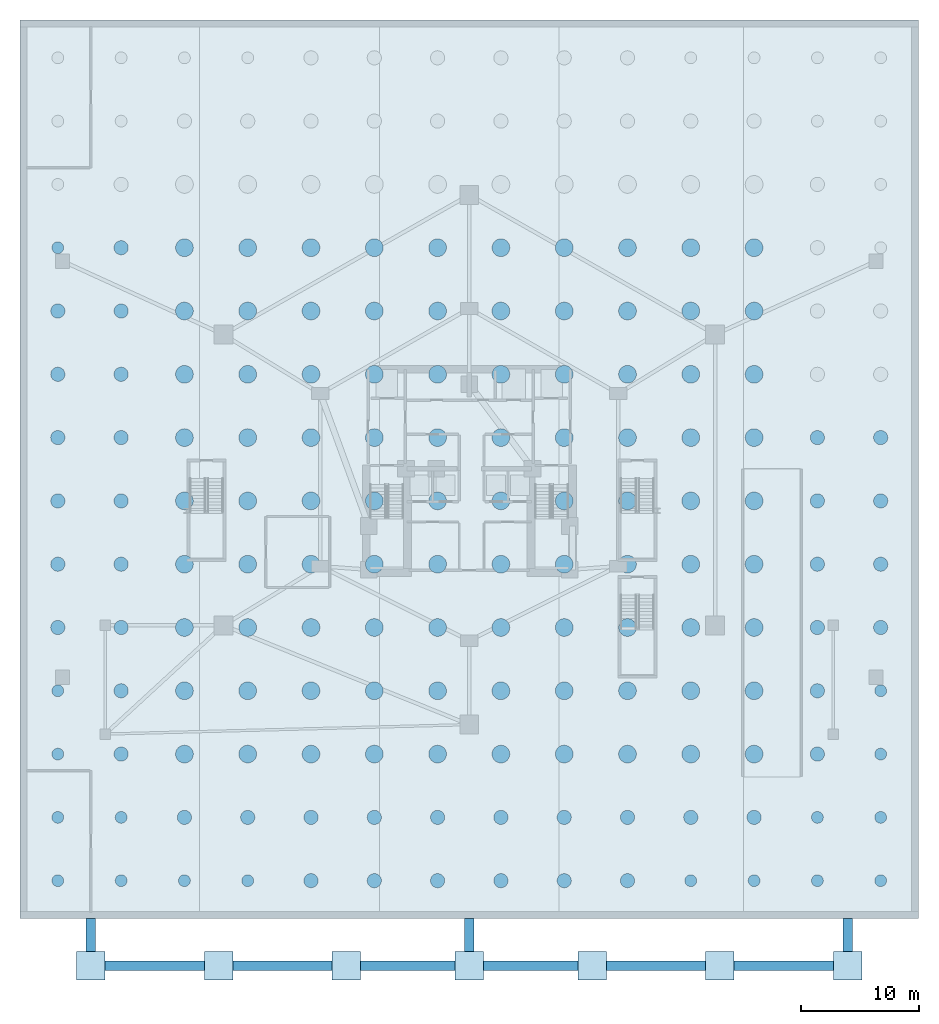
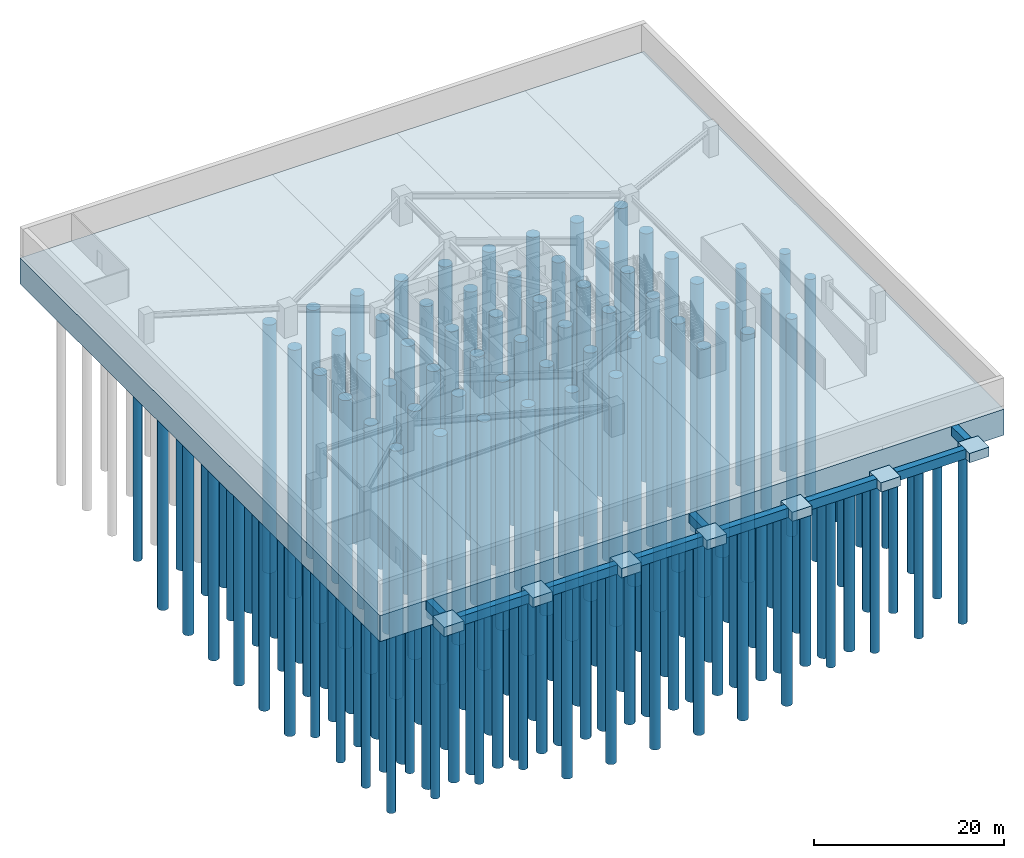
# One storey, part 1 of 14: 148 piles, 17 footings.
"""IFC4 building model written with IfcOpenShell, lengths in metres."""

from ifc_helpers import new_model, si_unit, direction, frame, origin, origin_2d, place, context, subcontext, project, spatial, polyline, rectangle, circle, outline, extrude, material, layer, layer_set, material_profile, profile_set, type_object, element, save


model = new_model("IFC4")

# Units and contexts
model_context = context("Model", 3, precision=1e-05, world=origin(), true_north=direction((0.0, 1.0)))
body_context = subcontext(model_context, "Body", "Model", "MODEL_VIEW")
ifc_project = project(units=[si_unit("LENGTHUNIT", "METRE"), si_unit("AREAUNIT", "SQUARE_METRE"), si_unit("VOLUMEUNIT", "CUBIC_METRE"), si_unit("PLANEANGLEUNIT", "RADIAN"), si_unit("MASSUNIT", "GRAM", prefix="KILO")], contexts=[model_context])

# Site, building, storey
site_placement = place(None, origin())
site = spatial("IfcSite", under=ifc_project, at=site_placement, CompositionType="ELEMENT")
building_placement = place(site_placement, origin())
building = spatial("IfcBuilding", under=site, at=building_placement, Name="Miruveldt Soraemaru", CompositionType="ELEMENT")
storey_placement = place(building_placement, frame((0.0, 0.0, -15.60009765625)))
storey = spatial("IfcBuildingStorey", under=building, at=storey_placement, Name="B4", CompositionType="ELEMENT", Elevation=-15.60009765625)

# Footings
ifc_material = material(Name="Concrete C50/60 (50 MPa)", Category="concrete")
ifc_material_profile_1 = material_profile(ifc_material, rectangle(XDim=0.800048828125, YDim=1.199951171875, at=origin_2d()), Name="Concrete C50/60 (50 MPa)", Category="concrete")
ifc_profile_set_1 = profile_set([ifc_material_profile_1], Name="Concrete C50/60 (50 MPa)")
footing_type_1 = type_object("IfcFootingType", Name="FT-GB-800x1200", PredefinedType="FOOTING_BEAM", material=ifc_profile_set_1)
footing_1_placement = place(storey_placement, frame((13.199951171875, 2.0, -1.0498046875), z_axis=(1.0, 0.0, 0.0), x_axis=(0.0, 1.0, 0.0)))
element("IfcFooting", 1, at=footing_1_placement, inside=storey, type_object=footing_type_1, Name="Perimeter Tie Grade Beam FND-GB-S1", PredefinedType="FOOTING_BEAM", context=body_context, shape_type="SweptSolid", body=[
    extrude(rectangle(XDim=0.800048828125, YDim=1.199951171875, at=origin_2d()), origin(), (0.0, 0.0, 1.0), 8.400146484375),
])
footing_2_placement = place(storey_placement, frame((24.0, 2.0, -1.0498046875), z_axis=(1.0, 0.0, 0.0), x_axis=(0.0, 1.0, 0.0)))
element("IfcFooting", 2, at=footing_2_placement, inside=storey, type_object=footing_type_1, Name="Perimeter Tie Grade Beam FND-GB-S2", PredefinedType="FOOTING_BEAM", context=body_context, shape_type="SweptSolid", body=[
    extrude(rectangle(XDim=0.800048828125, YDim=1.199951171875, at=origin_2d()), origin(), (0.0, 0.0, 1.0), 8.39990234375),
])
for number, where, z_axis, x_axis, name in (
    (3, (34.800048828125, 2.0, -1.0498046875), (1.0, 0.0, 0.0), (0.0, 1.0, 0.0), "Perimeter Tie Grade Beam FND-GB-S3"),
    (4, (45.199951171875, 2.0, -1.0498046875), (1.0, 0.0, 0.0), (0.0, 1.0, 0.0), "Perimeter Tie Grade Beam FND-GB-S4"),
):
    element("IfcFooting", number, at=place(storey_placement, frame(where, z_axis=z_axis, x_axis=x_axis)), inside=storey, type_object=footing_type_1, Name=name, PredefinedType="FOOTING_BEAM", context=body_context, shape_type="SweptSolid", body=[
        extrude(rectangle(XDim=0.800048828125, YDim=1.199951171875, at=origin_2d()), origin(), (0.0, 0.0, 1.0), 8.0),
    ])
footing_3_placement = place(storey_placement, frame((55.60009765625, 2.0, -1.0498046875), z_axis=(1.0, 0.0, 0.0), x_axis=(0.0, 1.0, 0.0)))
element("IfcFooting", 5, at=footing_3_placement, inside=storey, type_object=footing_type_1, Name="Perimeter Tie Grade Beam FND-GB-S5", PredefinedType="FOOTING_BEAM", context=body_context, shape_type="SweptSolid", body=[
    extrude(rectangle(XDim=0.800048828125, YDim=1.199951171875, at=origin_2d()), origin(), (0.0, 0.0, 1.0), 8.39990234375),
])
footing_4_placement = place(storey_placement, frame((66.39990234375, 2.0, -1.0498046875), z_axis=(1.0, 0.0, 0.0), x_axis=(0.0, 1.0, 0.0)))
element("IfcFooting", 6, at=footing_4_placement, inside=storey, type_object=footing_type_1, Name="Perimeter Tie Grade Beam FND-GB-S6", PredefinedType="FOOTING_BEAM", context=body_context, shape_type="SweptSolid", body=[
    extrude(rectangle(XDim=0.800048828125, YDim=1.199951171875, at=origin_2d()), origin(), (0.0, 0.0, 1.0), 8.400146484375),
])
for number, where, z_axis, x_axis, name in (
    (7, (12.0, 3.199951171875, -1.0498046875), (0.0, 1.0, 0.0), (-1.0, 0.0, 0.0), "Perimeter Tie Grade Beam FND-GB-TW"),
    (8, (44.0, 3.199951171875, -1.0498046875), (0.0, 1.0, 0.0), (-1.0, 0.0, 0.0), "Perimeter Tie Grade Beam FND-GB-TM"),
    (9, (76.0, 3.199951171875, -1.0498046875), (0.0, 1.0, 0.0), (-1.0, 0.0, 0.0), "Perimeter Tie Grade Beam FND-GB-TE"),
):
    element("IfcFooting", number, at=place(storey_placement, frame(where, z_axis=z_axis, x_axis=x_axis)), inside=storey, type_object=footing_type_1, Name=name, PredefinedType="FOOTING_BEAM", context=body_context, shape_type="SweptSolid", body=[
        extrude(rectangle(XDim=0.800048828125, YDim=1.199951171875, at=origin_2d()), origin(), (0.0, 0.0, 1.0), 2.800048828125),
    ])
ifc_layer_1 = layer(ifc_material, 1.199951171875, Name="Concrete C50/60 (50 MPa)", Category="concrete")
ifc_layer_set_1 = layer_set([ifc_layer_1], Name="Concrete C50/60 (50 MPa)")
footing_type_2 = type_object("IfcFootingType", Name="FT-PAD-2400", PredefinedType="PAD_FOOTING", material=ifc_layer_set_1)
footing_5_placement = place(storey_placement, frame((0.0, 0.0, -1.699951171875)))
element("IfcFooting", 10, at=footing_5_placement, inside=storey, type_object=footing_type_2, Name="Perimeter Tie Pad Footing PF-1", PredefinedType="PAD_FOOTING", context=body_context, shape_type="SweptSolid", body=[
    extrude(outline(polyline([(10.800048828125, 0.800048828125), (13.199951171875, 0.800048828125), (13.199951171875, 3.199951171875), (10.800048828125, 3.199951171875), (10.800048828125, 0.800048828125)])), origin(), (0.0, 0.0, 1.0), 1.199951171875),
])
footing_6_placement = place(storey_placement, frame((0.0, 0.0, -1.699951171875)))
element("IfcFooting", 11, at=footing_6_placement, inside=storey, type_object=footing_type_2, Name="Perimeter Tie Pad Footing PF-2", PredefinedType="PAD_FOOTING", context=body_context, shape_type="SweptSolid", body=[
    extrude(outline(polyline([(21.60009765625, 0.800048828125), (24.0, 0.800048828125), (24.0, 3.199951171875), (21.60009765625, 3.199951171875), (21.60009765625, 0.800048828125)])), origin(), (0.0, 0.0, 1.0), 1.199951171875),
])
footing_7_placement = place(storey_placement, frame((0.0, 0.0, -1.699951171875)))
element("IfcFooting", 12, at=footing_7_placement, inside=storey, type_object=footing_type_2, Name="Perimeter Tie Pad Footing PF-3", PredefinedType="PAD_FOOTING", context=body_context, shape_type="SweptSolid", body=[
    extrude(outline(polyline([(32.39990234375, 0.800048828125), (34.800048828125, 0.800048828125), (34.800048828125, 3.199951171875), (32.39990234375, 3.199951171875), (32.39990234375, 0.800048828125)])), origin(), (0.0, 0.0, 1.0), 1.199951171875),
])
footing_8_placement = place(storey_placement, frame((0.0, 0.0, -1.699951171875)))
element("IfcFooting", 13, at=footing_8_placement, inside=storey, type_object=footing_type_2, Name="Perimeter Tie Pad Footing PF-4", PredefinedType="PAD_FOOTING", context=body_context, shape_type="SweptSolid", body=[
    extrude(outline(polyline([(42.800048828125, 0.800048828125), (45.199951171875, 0.800048828125), (45.199951171875, 3.199951171875), (42.800048828125, 3.199951171875), (42.800048828125, 0.800048828125)])), origin(), (0.0, 0.0, 1.0), 1.199951171875),
])
footing_9_placement = place(storey_placement, frame((0.0, 0.0, -1.699951171875)))
element("IfcFooting", 14, at=footing_9_placement, inside=storey, type_object=footing_type_2, Name="Perimeter Tie Pad Footing PF-5", PredefinedType="PAD_FOOTING", context=body_context, shape_type="SweptSolid", body=[
    extrude(outline(polyline([(53.199951171875, 0.800048828125), (55.60009765625, 0.800048828125), (55.60009765625, 3.199951171875), (53.199951171875, 3.199951171875), (53.199951171875, 0.800048828125)])), origin(), (0.0, 0.0, 1.0), 1.199951171875),
])
footing_10_placement = place(storey_placement, frame((0.0, 0.0, -1.699951171875)))
element("IfcFooting", 15, at=footing_10_placement, inside=storey, type_object=footing_type_2, Name="Perimeter Tie Pad Footing PF-6", PredefinedType="PAD_FOOTING", context=body_context, shape_type="SweptSolid", body=[
    extrude(outline(polyline([(64.0, 0.800048828125), (66.39990234375, 0.800048828125), (66.39990234375, 3.199951171875), (64.0, 3.199951171875), (64.0, 0.800048828125)])), origin(), (0.0, 0.0, 1.0), 1.199951171875),
])
footing_11_placement = place(storey_placement, frame((0.0, 0.0, -1.699951171875)))
element("IfcFooting", 16, at=footing_11_placement, inside=storey, type_object=footing_type_2, Name="Perimeter Tie Pad Footing PF-7", PredefinedType="PAD_FOOTING", context=body_context, shape_type="SweptSolid", body=[
    extrude(outline(polyline([(74.800048828125, 0.800048828125), (77.199951171875, 0.800048828125), (77.199951171875, 3.199951171875), (74.800048828125, 3.199951171875), (74.800048828125, 0.800048828125)])), origin(), (0.0, 0.0, 1.0), 1.199951171875),
])
ifc_layer_2 = layer(ifc_material, 3.35009765625, Name="Concrete C50/60 (50 MPa)", Category="concrete")
ifc_layer_set_2 = layer_set([ifc_layer_2], Name="Concrete C50/60 (50 MPa)")
footing_type_3 = type_object("IfcFootingType", Name="FT-RAFT-3800", PredefinedType="PILE_CAP", material=ifc_layer_set_2)
footing_12_placement = place(storey_placement, frame((0.0, 0.0, -3.7998046875)))
element("IfcFooting", 17, at=footing_12_placement, inside=storey, type_object=footing_type_3, Name="Tower & Basement Piled Raft RAFT-1", PredefinedType="PILE_CAP", context=body_context, shape_type="SweptSolid", body=[
    extrude(outline(polyline([(6.0, 6.0), (82.0, 6.0), (82.0, 82.0), (6.0, 82.0), (6.0, 6.0)])), origin(), (0.0, 0.0, 1.0), 3.349853515625),
])

# Piles
ifc_material_profile_2 = material_profile(ifc_material, circle(Radius=0.75, at=origin_2d()), Name="Concrete C50/60 (50 MPa)", Category="concrete")
ifc_profile_set_2 = profile_set([ifc_material_profile_2], Name="Concrete C50/60 (50 MPa)")
pile_type_1 = type_object("IfcPileType", Name="PILE-PL1-D1500", PredefinedType="BORED", material=ifc_profile_set_2)
for number, where, z_axis, x_axis, name in (
    (18, (19.907958984375, 19.907958984375, -3.64990234375), (0.0, 0.0, -1.0), (1.0, 0.0, 0.0), "Rock-Socketed Bored Pile PILE-03-03 (PL-1)"),
    (19, (25.261962890625, 19.907958984375, -3.64990234375), (0.0, 0.0, -1.0), (1.0, 0.0, 0.0), "Rock-Socketed Bored Pile PILE-03-04 (PL-1)"),
    (20, (30.614990234375, 19.907958984375, -3.64990234375), (0.0, 0.0, -1.0), (1.0, 0.0, 0.0), "Rock-Socketed Bored Pile PILE-03-05 (PL-1)"),
    (21, (35.968994140625, 19.907958984375, -3.64990234375), (0.0, 0.0, -1.0), (1.0, 0.0, 0.0), "Rock-Socketed Bored Pile PILE-03-06 (PL-1)"),
    (22, (41.322998046875, 19.907958984375, -3.64990234375), (0.0, 0.0, -1.0), (1.0, 0.0, 0.0), "Rock-Socketed Bored Pile PILE-03-07 (PL-1)"),
    (23, (46.677001953125, 19.907958984375, -3.64990234375), (0.0, 0.0, -1.0), (1.0, 0.0, 0.0), "Rock-Socketed Bored Pile PILE-03-08 (PL-1)"),
    (24, (52.031005859375, 19.907958984375, -3.64990234375), (0.0, 0.0, -1.0), (1.0, 0.0, 0.0), "Rock-Socketed Bored Pile PILE-03-09 (PL-1)"),
    (25, (57.385009765625, 19.907958984375, -3.64990234375), (0.0, 0.0, -1.0), (1.0, 0.0, 0.0), "Rock-Socketed Bored Pile PILE-03-10 (PL-1)"),
    (26, (62.738037109375, 19.907958984375, -3.64990234375), (0.0, 0.0, -1.0), (1.0, 0.0, 0.0), "Rock-Socketed Bored Pile PILE-03-11 (PL-1)"),
    (27, (68.092041015625, 19.907958984375, -3.64990234375), (0.0, 0.0, -1.0), (1.0, 0.0, 0.0), "Rock-Socketed Bored Pile PILE-03-12 (PL-1)"),
    (28, (19.907958984375, 25.261962890625, -3.64990234375), (0.0, 0.0, -1.0), (1.0, 0.0, 0.0), "Rock-Socketed Bored Pile PILE-04-03 (PL-1)"),
    (29, (25.261962890625, 25.261962890625, -3.64990234375), (0.0, 0.0, -1.0), (1.0, 0.0, 0.0), "Rock-Socketed Bored Pile PILE-04-04 (PL-1)"),
    (30, (30.614990234375, 25.261962890625, -3.64990234375), (0.0, 0.0, -1.0), (1.0, 0.0, 0.0), "Rock-Socketed Bored Pile PILE-04-05 (PL-1)"),
    (31, (35.968994140625, 25.261962890625, -3.64990234375), (0.0, 0.0, -1.0), (1.0, 0.0, 0.0), "Rock-Socketed Bored Pile PILE-04-06 (PL-1)"),
    (32, (41.322998046875, 25.261962890625, -3.64990234375), (0.0, 0.0, -1.0), (1.0, 0.0, 0.0), "Rock-Socketed Bored Pile PILE-04-07 (PL-1)"),
    (33, (46.677001953125, 25.261962890625, -3.64990234375), (0.0, 0.0, -1.0), (1.0, 0.0, 0.0), "Rock-Socketed Bored Pile PILE-04-08 (PL-1)"),
    (34, (52.031005859375, 25.261962890625, -3.64990234375), (0.0, 0.0, -1.0), (1.0, 0.0, 0.0), "Rock-Socketed Bored Pile PILE-04-09 (PL-1)"),
    (35, (57.385009765625, 25.261962890625, -3.64990234375), (0.0, 0.0, -1.0), (1.0, 0.0, 0.0), "Rock-Socketed Bored Pile PILE-04-10 (PL-1)"),
    (36, (62.738037109375, 25.261962890625, -3.64990234375), (0.0, 0.0, -1.0), (1.0, 0.0, 0.0), "Rock-Socketed Bored Pile PILE-04-11 (PL-1)"),
    (37, (68.092041015625, 25.261962890625, -3.64990234375), (0.0, 0.0, -1.0), (1.0, 0.0, 0.0), "Rock-Socketed Bored Pile PILE-04-12 (PL-1)"),
    (38, (19.907958984375, 30.614990234375, -3.64990234375), (0.0, 0.0, -1.0), (1.0, 0.0, 0.0), "Rock-Socketed Bored Pile PILE-05-03 (PL-1)"),
    (39, (25.261962890625, 30.614990234375, -3.64990234375), (0.0, 0.0, -1.0), (1.0, 0.0, 0.0), "Rock-Socketed Bored Pile PILE-05-04 (PL-1)"),
    (40, (30.614990234375, 30.614990234375, -3.64990234375), (0.0, 0.0, -1.0), (1.0, 0.0, 0.0), "Rock-Socketed Bored Pile PILE-05-05 (PL-1)"),
    (41, (35.968994140625, 30.614990234375, -3.64990234375), (0.0, 0.0, -1.0), (1.0, 0.0, 0.0), "Rock-Socketed Bored Pile PILE-05-06 (PL-1)"),
    (42, (41.322998046875, 30.614990234375, -3.64990234375), (0.0, 0.0, -1.0), (1.0, 0.0, 0.0), "Rock-Socketed Bored Pile PILE-05-07 (PL-1)"),
    (43, (46.677001953125, 30.614990234375, -3.64990234375), (0.0, 0.0, -1.0), (1.0, 0.0, 0.0), "Rock-Socketed Bored Pile PILE-05-08 (PL-1)"),
    (44, (52.031005859375, 30.614990234375, -3.64990234375), (0.0, 0.0, -1.0), (1.0, 0.0, 0.0), "Rock-Socketed Bored Pile PILE-05-09 (PL-1)"),
    (45, (57.385009765625, 30.614990234375, -3.64990234375), (0.0, 0.0, -1.0), (1.0, 0.0, 0.0), "Rock-Socketed Bored Pile PILE-05-10 (PL-1)"),
    (46, (62.738037109375, 30.614990234375, -3.64990234375), (0.0, 0.0, -1.0), (1.0, 0.0, 0.0), "Rock-Socketed Bored Pile PILE-05-11 (PL-1)"),
    (47, (68.092041015625, 30.614990234375, -3.64990234375), (0.0, 0.0, -1.0), (1.0, 0.0, 0.0), "Rock-Socketed Bored Pile PILE-05-12 (PL-1)"),
    (48, (19.907958984375, 35.968994140625, -3.64990234375), (0.0, 0.0, -1.0), (1.0, 0.0, 0.0), "Rock-Socketed Bored Pile PILE-06-03 (PL-1)"),
    (49, (25.261962890625, 35.968994140625, -3.64990234375), (0.0, 0.0, -1.0), (1.0, 0.0, 0.0), "Rock-Socketed Bored Pile PILE-06-04 (PL-1)"),
    (50, (30.614990234375, 35.968994140625, -3.64990234375), (0.0, 0.0, -1.0), (1.0, 0.0, 0.0), "Rock-Socketed Bored Pile PILE-06-05 (PL-1)"),
    (51, (35.968994140625, 35.968994140625, -3.64990234375), (0.0, 0.0, -1.0), (1.0, 0.0, 0.0), "Rock-Socketed Bored Pile PILE-06-06 (PL-1)"),
    (52, (41.322998046875, 35.968994140625, -3.64990234375), (0.0, 0.0, -1.0), (1.0, 0.0, 0.0), "Rock-Socketed Bored Pile PILE-06-07 (PL-1)"),
    (53, (46.677001953125, 35.968994140625, -3.64990234375), (0.0, 0.0, -1.0), (1.0, 0.0, 0.0), "Rock-Socketed Bored Pile PILE-06-08 (PL-1)"),
    (54, (52.031005859375, 35.968994140625, -3.64990234375), (0.0, 0.0, -1.0), (1.0, 0.0, 0.0), "Rock-Socketed Bored Pile PILE-06-09 (PL-1)"),
    (55, (57.385009765625, 35.968994140625, -3.64990234375), (0.0, 0.0, -1.0), (1.0, 0.0, 0.0), "Rock-Socketed Bored Pile PILE-06-10 (PL-1)"),
    (56, (62.738037109375, 35.968994140625, -3.64990234375), (0.0, 0.0, -1.0), (1.0, 0.0, 0.0), "Rock-Socketed Bored Pile PILE-06-11 (PL-1)"),
    (57, (68.092041015625, 35.968994140625, -3.64990234375), (0.0, 0.0, -1.0), (1.0, 0.0, 0.0), "Rock-Socketed Bored Pile PILE-06-12 (PL-1)"),
    (58, (19.907958984375, 41.322998046875, -3.64990234375), (0.0, 0.0, -1.0), (1.0, 0.0, 0.0), "Rock-Socketed Bored Pile PILE-07-03 (PL-1)"),
    (59, (25.261962890625, 41.322998046875, -3.64990234375), (0.0, 0.0, -1.0), (1.0, 0.0, 0.0), "Rock-Socketed Bored Pile PILE-07-04 (PL-1)"),
    (60, (30.614990234375, 41.322998046875, -3.64990234375), (0.0, 0.0, -1.0), (1.0, 0.0, 0.0), "Rock-Socketed Bored Pile PILE-07-05 (PL-1)"),
    (61, (35.968994140625, 41.322998046875, -3.64990234375), (0.0, 0.0, -1.0), (1.0, 0.0, 0.0), "Rock-Socketed Bored Pile PILE-07-06 (PL-1)"),
    (62, (41.322998046875, 41.322998046875, -3.64990234375), (0.0, 0.0, -1.0), (1.0, 0.0, 0.0), "Rock-Socketed Bored Pile PILE-07-07 (PL-1)"),
    (63, (46.677001953125, 41.322998046875, -3.64990234375), (0.0, 0.0, -1.0), (1.0, 0.0, 0.0), "Rock-Socketed Bored Pile PILE-07-08 (PL-1)"),
    (64, (52.031005859375, 41.322998046875, -3.64990234375), (0.0, 0.0, -1.0), (1.0, 0.0, 0.0), "Rock-Socketed Bored Pile PILE-07-09 (PL-1)"),
    (65, (57.385009765625, 41.322998046875, -3.64990234375), (0.0, 0.0, -1.0), (1.0, 0.0, 0.0), "Rock-Socketed Bored Pile PILE-07-10 (PL-1)"),
    (66, (62.738037109375, 41.322998046875, -3.64990234375), (0.0, 0.0, -1.0), (1.0, 0.0, 0.0), "Rock-Socketed Bored Pile PILE-07-11 (PL-1)"),
    (67, (68.092041015625, 41.322998046875, -3.64990234375), (0.0, 0.0, -1.0), (1.0, 0.0, 0.0), "Rock-Socketed Bored Pile PILE-07-12 (PL-1)"),
    (68, (19.907958984375, 46.677001953125, -3.64990234375), (0.0, 0.0, -1.0), (1.0, 0.0, 0.0), "Rock-Socketed Bored Pile PILE-08-03 (PL-1)"),
    (69, (25.261962890625, 46.677001953125, -3.64990234375), (0.0, 0.0, -1.0), (1.0, 0.0, 0.0), "Rock-Socketed Bored Pile PILE-08-04 (PL-1)"),
    (70, (30.614990234375, 46.677001953125, -3.64990234375), (0.0, 0.0, -1.0), (1.0, 0.0, 0.0), "Rock-Socketed Bored Pile PILE-08-05 (PL-1)"),
    (71, (35.968994140625, 46.677001953125, -3.64990234375), (0.0, 0.0, -1.0), (1.0, 0.0, 0.0), "Rock-Socketed Bored Pile PILE-08-06 (PL-1)"),
    (72, (41.322998046875, 46.677001953125, -3.64990234375), (0.0, 0.0, -1.0), (1.0, 0.0, 0.0), "Rock-Socketed Bored Pile PILE-08-07 (PL-1)"),
    (73, (46.677001953125, 46.677001953125, -3.64990234375), (0.0, 0.0, -1.0), (1.0, 0.0, 0.0), "Rock-Socketed Bored Pile PILE-08-08 (PL-1)"),
    (74, (52.031005859375, 46.677001953125, -3.64990234375), (0.0, 0.0, -1.0), (1.0, 0.0, 0.0), "Rock-Socketed Bored Pile PILE-08-09 (PL-1)"),
    (75, (57.385009765625, 46.677001953125, -3.64990234375), (0.0, 0.0, -1.0), (1.0, 0.0, 0.0), "Rock-Socketed Bored Pile PILE-08-10 (PL-1)"),
    (76, (62.738037109375, 46.677001953125, -3.64990234375), (0.0, 0.0, -1.0), (1.0, 0.0, 0.0), "Rock-Socketed Bored Pile PILE-08-11 (PL-1)"),
    (77, (68.092041015625, 46.677001953125, -3.64990234375), (0.0, 0.0, -1.0), (1.0, 0.0, 0.0), "Rock-Socketed Bored Pile PILE-08-12 (PL-1)"),
    (78, (19.907958984375, 52.031005859375, -3.64990234375), (0.0, 0.0, -1.0), (1.0, 0.0, 0.0), "Rock-Socketed Bored Pile PILE-09-03 (PL-1)"),
    (79, (25.261962890625, 52.031005859375, -3.64990234375), (0.0, 0.0, -1.0), (1.0, 0.0, 0.0), "Rock-Socketed Bored Pile PILE-09-04 (PL-1)"),
    (80, (30.614990234375, 52.031005859375, -3.64990234375), (0.0, 0.0, -1.0), (1.0, 0.0, 0.0), "Rock-Socketed Bored Pile PILE-09-05 (PL-1)"),
    (81, (35.968994140625, 52.031005859375, -3.64990234375), (0.0, 0.0, -1.0), (1.0, 0.0, 0.0), "Rock-Socketed Bored Pile PILE-09-06 (PL-1)"),
    (82, (41.322998046875, 52.031005859375, -3.64990234375), (0.0, 0.0, -1.0), (1.0, 0.0, 0.0), "Rock-Socketed Bored Pile PILE-09-07 (PL-1)"),
    (83, (46.677001953125, 52.031005859375, -3.64990234375), (0.0, 0.0, -1.0), (1.0, 0.0, 0.0), "Rock-Socketed Bored Pile PILE-09-08 (PL-1)"),
    (84, (52.031005859375, 52.031005859375, -3.64990234375), (0.0, 0.0, -1.0), (1.0, 0.0, 0.0), "Rock-Socketed Bored Pile PILE-09-09 (PL-1)"),
    (85, (57.385009765625, 52.031005859375, -3.64990234375), (0.0, 0.0, -1.0), (1.0, 0.0, 0.0), "Rock-Socketed Bored Pile PILE-09-10 (PL-1)"),
    (86, (62.738037109375, 52.031005859375, -3.64990234375), (0.0, 0.0, -1.0), (1.0, 0.0, 0.0), "Rock-Socketed Bored Pile PILE-09-11 (PL-1)"),
    (87, (68.092041015625, 52.031005859375, -3.64990234375), (0.0, 0.0, -1.0), (1.0, 0.0, 0.0), "Rock-Socketed Bored Pile PILE-09-12 (PL-1)"),
    (88, (19.907958984375, 57.385009765625, -3.64990234375), (0.0, 0.0, -1.0), (1.0, 0.0, 0.0), "Rock-Socketed Bored Pile PILE-10-03 (PL-1)"),
    (89, (25.261962890625, 57.385009765625, -3.64990234375), (0.0, 0.0, -1.0), (1.0, 0.0, 0.0), "Rock-Socketed Bored Pile PILE-10-04 (PL-1)"),
    (90, (30.614990234375, 57.385009765625, -3.64990234375), (0.0, 0.0, -1.0), (1.0, 0.0, 0.0), "Rock-Socketed Bored Pile PILE-10-05 (PL-1)"),
    (91, (35.968994140625, 57.385009765625, -3.64990234375), (0.0, 0.0, -1.0), (1.0, 0.0, 0.0), "Rock-Socketed Bored Pile PILE-10-06 (PL-1)"),
    (92, (41.322998046875, 57.385009765625, -3.64990234375), (0.0, 0.0, -1.0), (1.0, 0.0, 0.0), "Rock-Socketed Bored Pile PILE-10-07 (PL-1)"),
    (93, (46.677001953125, 57.385009765625, -3.64990234375), (0.0, 0.0, -1.0), (1.0, 0.0, 0.0), "Rock-Socketed Bored Pile PILE-10-08 (PL-1)"),
    (94, (52.031005859375, 57.385009765625, -3.64990234375), (0.0, 0.0, -1.0), (1.0, 0.0, 0.0), "Rock-Socketed Bored Pile PILE-10-09 (PL-1)"),
    (95, (57.385009765625, 57.385009765625, -3.64990234375), (0.0, 0.0, -1.0), (1.0, 0.0, 0.0), "Rock-Socketed Bored Pile PILE-10-10 (PL-1)"),
    (96, (62.738037109375, 57.385009765625, -3.64990234375), (0.0, 0.0, -1.0), (1.0, 0.0, 0.0), "Rock-Socketed Bored Pile PILE-10-11 (PL-1)"),
    (97, (68.092041015625, 57.385009765625, -3.64990234375), (0.0, 0.0, -1.0), (1.0, 0.0, 0.0), "Rock-Socketed Bored Pile PILE-10-12 (PL-1)"),
    (98, (19.907958984375, 62.738037109375, -3.64990234375), (0.0, 0.0, -1.0), (1.0, 0.0, 0.0), "Rock-Socketed Bored Pile PILE-11-03 (PL-1)"),
    (99, (25.261962890625, 62.738037109375, -3.64990234375), (0.0, 0.0, -1.0), (1.0, 0.0, 0.0), "Rock-Socketed Bored Pile PILE-11-04 (PL-1)"),
    (100, (30.614990234375, 62.738037109375, -3.64990234375), (0.0, 0.0, -1.0), (1.0, 0.0, 0.0), "Rock-Socketed Bored Pile PILE-11-05 (PL-1)"),
    (101, (35.968994140625, 62.738037109375, -3.64990234375), (0.0, 0.0, -1.0), (1.0, 0.0, 0.0), "Rock-Socketed Bored Pile PILE-11-06 (PL-1)"),
    (102, (41.322998046875, 62.738037109375, -3.64990234375), (0.0, 0.0, -1.0), (1.0, 0.0, 0.0), "Rock-Socketed Bored Pile PILE-11-07 (PL-1)"),
    (103, (46.677001953125, 62.738037109375, -3.64990234375), (0.0, 0.0, -1.0), (1.0, 0.0, 0.0), "Rock-Socketed Bored Pile PILE-11-08 (PL-1)"),
    (104, (52.031005859375, 62.738037109375, -3.64990234375), (0.0, 0.0, -1.0), (1.0, 0.0, 0.0), "Rock-Socketed Bored Pile PILE-11-09 (PL-1)"),
    (105, (57.385009765625, 62.738037109375, -3.64990234375), (0.0, 0.0, -1.0), (1.0, 0.0, 0.0), "Rock-Socketed Bored Pile PILE-11-10 (PL-1)"),
    (106, (62.738037109375, 62.738037109375, -3.64990234375), (0.0, 0.0, -1.0), (1.0, 0.0, 0.0), "Rock-Socketed Bored Pile PILE-11-11 (PL-1)"),
    (107, (68.092041015625, 62.738037109375, -3.64990234375), (0.0, 0.0, -1.0), (1.0, 0.0, 0.0), "Rock-Socketed Bored Pile PILE-11-12 (PL-1)"),
):
    element("IfcPile", number, at=place(storey_placement, frame(where, z_axis=z_axis, x_axis=x_axis)), inside=storey, type_object=pile_type_1, Name=name, PredefinedType="BORED", context=body_context, shape_type="SweptSolid", body=[
        extrude(circle(Radius=0.75, at=origin_2d()), origin(), (0.0, 0.0, 1.0), 32.0),
    ])
ifc_material_profile_3 = material_profile(ifc_material, circle(Radius=0.60009765625, at=origin_2d()), Name="Concrete C50/60 (50 MPa)", Category="concrete")
ifc_profile_set_3 = profile_set([ifc_material_profile_3], Name="Concrete C50/60 (50 MPa)")
pile_type_2 = type_object("IfcPileType", Name="PILE-PL2-D1200", PredefinedType="BORED", material=ifc_profile_set_3)
for number, where, z_axis, x_axis, name in (
    (108, (30.614990234375, 9.199951171875, -3.64990234375), (0.0, 0.0, -1.0), (1.0, 0.0, 0.0), "Rock-Socketed Bored Pile PILE-01-05 (PL-2)"),
    (109, (35.968994140625, 9.199951171875, -3.64990234375), (0.0, 0.0, -1.0), (1.0, 0.0, 0.0), "Rock-Socketed Bored Pile PILE-01-06 (PL-2)"),
    (110, (41.322998046875, 9.199951171875, -3.64990234375), (0.0, 0.0, -1.0), (1.0, 0.0, 0.0), "Rock-Socketed Bored Pile PILE-01-07 (PL-2)"),
    (111, (46.677001953125, 9.199951171875, -3.64990234375), (0.0, 0.0, -1.0), (1.0, 0.0, 0.0), "Rock-Socketed Bored Pile PILE-01-08 (PL-2)"),
    (112, (52.031005859375, 9.199951171875, -3.64990234375), (0.0, 0.0, -1.0), (1.0, 0.0, 0.0), "Rock-Socketed Bored Pile PILE-01-09 (PL-2)"),
    (113, (57.385009765625, 9.199951171875, -3.64990234375), (0.0, 0.0, -1.0), (1.0, 0.0, 0.0), "Rock-Socketed Bored Pile PILE-01-10 (PL-2)"),
    (114, (19.907958984375, 14.553955078125, -3.64990234375), (0.0, 0.0, -1.0), (1.0, 0.0, 0.0), "Rock-Socketed Bored Pile PILE-02-03 (PL-2)"),
    (115, (25.261962890625, 14.553955078125, -3.64990234375), (0.0, 0.0, -1.0), (1.0, 0.0, 0.0), "Rock-Socketed Bored Pile PILE-02-04 (PL-2)"),
    (116, (30.614990234375, 14.553955078125, -3.64990234375), (0.0, 0.0, -1.0), (1.0, 0.0, 0.0), "Rock-Socketed Bored Pile PILE-02-05 (PL-2)"),
    (117, (35.968994140625, 14.553955078125, -3.64990234375), (0.0, 0.0, -1.0), (1.0, 0.0, 0.0), "Rock-Socketed Bored Pile PILE-02-06 (PL-2)"),
    (118, (41.322998046875, 14.553955078125, -3.64990234375), (0.0, 0.0, -1.0), (1.0, 0.0, 0.0), "Rock-Socketed Bored Pile PILE-02-07 (PL-2)"),
    (119, (46.677001953125, 14.553955078125, -3.64990234375), (0.0, 0.0, -1.0), (1.0, 0.0, 0.0), "Rock-Socketed Bored Pile PILE-02-08 (PL-2)"),
    (120, (52.031005859375, 14.553955078125, -3.64990234375), (0.0, 0.0, -1.0), (1.0, 0.0, 0.0), "Rock-Socketed Bored Pile PILE-02-09 (PL-2)"),
    (121, (57.385009765625, 14.553955078125, -3.64990234375), (0.0, 0.0, -1.0), (1.0, 0.0, 0.0), "Rock-Socketed Bored Pile PILE-02-10 (PL-2)"),
    (122, (62.738037109375, 14.553955078125, -3.64990234375), (0.0, 0.0, -1.0), (1.0, 0.0, 0.0), "Rock-Socketed Bored Pile PILE-02-11 (PL-2)"),
    (123, (68.092041015625, 14.553955078125, -3.64990234375), (0.0, 0.0, -1.0), (1.0, 0.0, 0.0), "Rock-Socketed Bored Pile PILE-02-12 (PL-2)"),
    (124, (14.553955078125, 19.907958984375, -3.64990234375), (0.0, 0.0, -1.0), (1.0, 0.0, 0.0), "Rock-Socketed Bored Pile PILE-03-02 (PL-2)"),
    (125, (73.446044921875, 19.907958984375, -3.64990234375), (0.0, 0.0, -1.0), (1.0, 0.0, 0.0), "Rock-Socketed Bored Pile PILE-03-13 (PL-2)"),
    (126, (14.553955078125, 25.261962890625, -3.64990234375), (0.0, 0.0, -1.0), (1.0, 0.0, 0.0), "Rock-Socketed Bored Pile PILE-04-02 (PL-2)"),
    (127, (73.446044921875, 25.261962890625, -3.64990234375), (0.0, 0.0, -1.0), (1.0, 0.0, 0.0), "Rock-Socketed Bored Pile PILE-04-13 (PL-2)"),
    (128, (9.199951171875, 30.614990234375, -3.64990234375), (0.0, 0.0, -1.0), (1.0, 0.0, 0.0), "Rock-Socketed Bored Pile PILE-05-01 (PL-2)"),
    (129, (14.553955078125, 30.614990234375, -3.64990234375), (0.0, 0.0, -1.0), (1.0, 0.0, 0.0), "Rock-Socketed Bored Pile PILE-05-02 (PL-2)"),
    (130, (73.446044921875, 30.614990234375, -3.64990234375), (0.0, 0.0, -1.0), (1.0, 0.0, 0.0), "Rock-Socketed Bored Pile PILE-05-13 (PL-2)"),
    (131, (78.800048828125, 30.614990234375, -3.64990234375), (0.0, 0.0, -1.0), (1.0, 0.0, 0.0), "Rock-Socketed Bored Pile PILE-05-14 (PL-2)"),
    (132, (9.199951171875, 35.968994140625, -3.64990234375), (0.0, 0.0, -1.0), (1.0, 0.0, 0.0), "Rock-Socketed Bored Pile PILE-06-01 (PL-2)"),
    (133, (14.553955078125, 35.968994140625, -3.64990234375), (0.0, 0.0, -1.0), (1.0, 0.0, 0.0), "Rock-Socketed Bored Pile PILE-06-02 (PL-2)"),
    (134, (73.446044921875, 35.968994140625, -3.64990234375), (0.0, 0.0, -1.0), (1.0, 0.0, 0.0), "Rock-Socketed Bored Pile PILE-06-13 (PL-2)"),
    (135, (78.800048828125, 35.968994140625, -3.64990234375), (0.0, 0.0, -1.0), (1.0, 0.0, 0.0), "Rock-Socketed Bored Pile PILE-06-14 (PL-2)"),
    (136, (9.199951171875, 41.322998046875, -3.64990234375), (0.0, 0.0, -1.0), (1.0, 0.0, 0.0), "Rock-Socketed Bored Pile PILE-07-01 (PL-2)"),
    (137, (14.553955078125, 41.322998046875, -3.64990234375), (0.0, 0.0, -1.0), (1.0, 0.0, 0.0), "Rock-Socketed Bored Pile PILE-07-02 (PL-2)"),
    (138, (73.446044921875, 41.322998046875, -3.64990234375), (0.0, 0.0, -1.0), (1.0, 0.0, 0.0), "Rock-Socketed Bored Pile PILE-07-13 (PL-2)"),
    (139, (78.800048828125, 41.322998046875, -3.64990234375), (0.0, 0.0, -1.0), (1.0, 0.0, 0.0), "Rock-Socketed Bored Pile PILE-07-14 (PL-2)"),
    (140, (9.199951171875, 46.677001953125, -3.64990234375), (0.0, 0.0, -1.0), (1.0, 0.0, 0.0), "Rock-Socketed Bored Pile PILE-08-01 (PL-2)"),
    (141, (14.553955078125, 46.677001953125, -3.64990234375), (0.0, 0.0, -1.0), (1.0, 0.0, 0.0), "Rock-Socketed Bored Pile PILE-08-02 (PL-2)"),
    (142, (73.446044921875, 46.677001953125, -3.64990234375), (0.0, 0.0, -1.0), (1.0, 0.0, 0.0), "Rock-Socketed Bored Pile PILE-08-13 (PL-2)"),
    (143, (78.800048828125, 46.677001953125, -3.64990234375), (0.0, 0.0, -1.0), (1.0, 0.0, 0.0), "Rock-Socketed Bored Pile PILE-08-14 (PL-2)"),
    (144, (9.199951171875, 52.031005859375, -3.64990234375), (0.0, 0.0, -1.0), (1.0, 0.0, 0.0), "Rock-Socketed Bored Pile PILE-09-01 (PL-2)"),
    (145, (14.553955078125, 52.031005859375, -3.64990234375), (0.0, 0.0, -1.0), (1.0, 0.0, 0.0), "Rock-Socketed Bored Pile PILE-09-02 (PL-2)"),
    (146, (9.199951171875, 57.385009765625, -3.64990234375), (0.0, 0.0, -1.0), (1.0, 0.0, 0.0), "Rock-Socketed Bored Pile PILE-10-01 (PL-2)"),
    (147, (14.553955078125, 57.385009765625, -3.64990234375), (0.0, 0.0, -1.0), (1.0, 0.0, 0.0), "Rock-Socketed Bored Pile PILE-10-02 (PL-2)"),
    (148, (14.553955078125, 62.738037109375, -3.64990234375), (0.0, 0.0, -1.0), (1.0, 0.0, 0.0), "Rock-Socketed Bored Pile PILE-11-02 (PL-2)"),
):
    element("IfcPile", number, at=place(storey_placement, frame(where, z_axis=z_axis, x_axis=x_axis)), inside=storey, type_object=pile_type_2, Name=name, PredefinedType="BORED", context=body_context, shape_type="SweptSolid", body=[
        extrude(circle(Radius=0.60009765625, at=origin_2d()), origin(), (0.0, 0.0, 1.0), 28.0),
    ])
ifc_material_profile_4 = material_profile(ifc_material, circle(Radius=0.5, at=origin_2d()), Name="Concrete C50/60 (50 MPa)", Category="concrete")
ifc_profile_set_4 = profile_set([ifc_material_profile_4], Name="Concrete C50/60 (50 MPa)")
pile_type_3 = type_object("IfcPileType", Name="PILE-PL3-D1000", PredefinedType="BORED", material=ifc_profile_set_4)
for number, where, z_axis, x_axis, name in (
    (149, (9.199951171875, 9.199951171875, -3.64990234375), (0.0, 0.0, -1.0), (1.0, 0.0, 0.0), "Rock-Socketed Bored Pile PILE-01-01 (PL-3)"),
    (150, (14.553955078125, 9.199951171875, -3.64990234375), (0.0, 0.0, -1.0), (1.0, 0.0, 0.0), "Rock-Socketed Bored Pile PILE-01-02 (PL-3)"),
    (151, (19.907958984375, 9.199951171875, -3.64990234375), (0.0, 0.0, -1.0), (1.0, 0.0, 0.0), "Rock-Socketed Bored Pile PILE-01-03 (PL-3)"),
    (152, (25.261962890625, 9.199951171875, -3.64990234375), (0.0, 0.0, -1.0), (1.0, 0.0, 0.0), "Rock-Socketed Bored Pile PILE-01-04 (PL-3)"),
    (153, (62.738037109375, 9.199951171875, -3.64990234375), (0.0, 0.0, -1.0), (1.0, 0.0, 0.0), "Rock-Socketed Bored Pile PILE-01-11 (PL-3)"),
    (154, (68.092041015625, 9.199951171875, -3.64990234375), (0.0, 0.0, -1.0), (1.0, 0.0, 0.0), "Rock-Socketed Bored Pile PILE-01-12 (PL-3)"),
    (155, (73.446044921875, 9.199951171875, -3.64990234375), (0.0, 0.0, -1.0), (1.0, 0.0, 0.0), "Rock-Socketed Bored Pile PILE-01-13 (PL-3)"),
    (156, (78.800048828125, 9.199951171875, -3.64990234375), (0.0, 0.0, -1.0), (1.0, 0.0, 0.0), "Rock-Socketed Bored Pile PILE-01-14 (PL-3)"),
    (157, (9.199951171875, 14.553955078125, -3.64990234375), (0.0, 0.0, -1.0), (1.0, 0.0, 0.0), "Rock-Socketed Bored Pile PILE-02-01 (PL-3)"),
    (158, (14.553955078125, 14.553955078125, -3.64990234375), (0.0, 0.0, -1.0), (1.0, 0.0, 0.0), "Rock-Socketed Bored Pile PILE-02-02 (PL-3)"),
    (159, (73.446044921875, 14.553955078125, -3.64990234375), (0.0, 0.0, -1.0), (1.0, 0.0, 0.0), "Rock-Socketed Bored Pile PILE-02-13 (PL-3)"),
    (160, (78.800048828125, 14.553955078125, -3.64990234375), (0.0, 0.0, -1.0), (1.0, 0.0, 0.0), "Rock-Socketed Bored Pile PILE-02-14 (PL-3)"),
    (161, (9.199951171875, 19.907958984375, -3.64990234375), (0.0, 0.0, -1.0), (1.0, 0.0, 0.0), "Rock-Socketed Bored Pile PILE-03-01 (PL-3)"),
    (162, (78.800048828125, 19.907958984375, -3.64990234375), (0.0, 0.0, -1.0), (1.0, 0.0, 0.0), "Rock-Socketed Bored Pile PILE-03-14 (PL-3)"),
    (163, (9.199951171875, 25.261962890625, -3.64990234375), (0.0, 0.0, -1.0), (1.0, 0.0, 0.0), "Rock-Socketed Bored Pile PILE-04-01 (PL-3)"),
    (164, (78.800048828125, 25.261962890625, -3.64990234375), (0.0, 0.0, -1.0), (1.0, 0.0, 0.0), "Rock-Socketed Bored Pile PILE-04-14 (PL-3)"),
    (165, (9.199951171875, 62.738037109375, -3.64990234375), (0.0, 0.0, -1.0), (1.0, 0.0, 0.0), "Rock-Socketed Bored Pile PILE-11-01 (PL-3)"),
):
    element("IfcPile", number, at=place(storey_placement, frame(where, z_axis=z_axis, x_axis=x_axis)), inside=storey, type_object=pile_type_3, Name=name, PredefinedType="BORED", context=body_context, shape_type="SweptSolid", body=[
        extrude(circle(Radius=0.5, at=origin_2d()), origin(), (0.0, 0.0, 1.0), 25.0),
    ])

save(model, "model.ifc")
